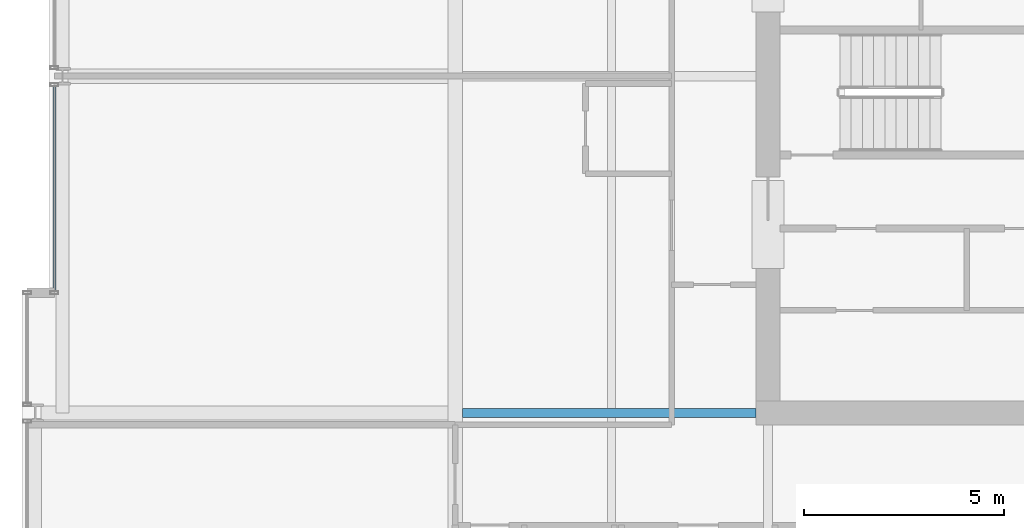
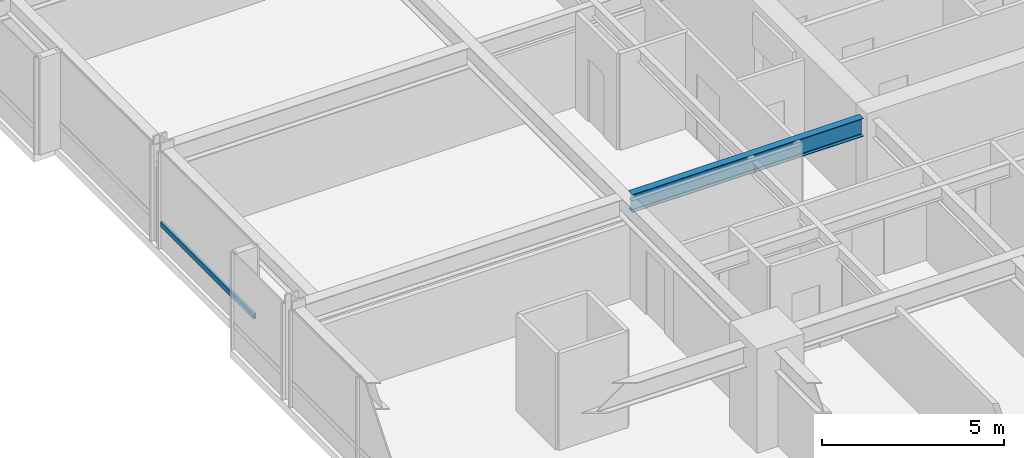
# One storey, part 8 of 34: 1 beam, 1 member, 1 element without a shape of its own.
"""IFC4 building model written with IfcOpenShell, lengths in metres."""

from ifc_helpers import new_model, si_unit, direction, frame, origin, origin_2d, place, context, subcontext, project, spatial, hollow_rectangle, i_section, extrude, material, layer, layer_set, material_profile, profile_set, type_object, element, aggregate, save


model = new_model("IFC4")

# Units and contexts
model_context = context("Model", 3, precision=1e-05, world=origin(), true_north=direction((0.0, 1.0)))
body_context = subcontext(model_context, "Body", "Model", "MODEL_VIEW")
ifc_project = project(units=[si_unit("LENGTHUNIT", "METRE"), si_unit("AREAUNIT", "SQUARE_METRE"), si_unit("VOLUMEUNIT", "CUBIC_METRE"), si_unit("PLANEANGLEUNIT", "RADIAN"), si_unit("MASSUNIT", "GRAM", prefix="KILO")], contexts=[model_context])

# Site, building, storey
site_placement = place(None, origin())
site = spatial("IfcSite", under=ifc_project, at=site_placement, CompositionType="ELEMENT")
building_placement = place(site_placement, origin())
building = spatial("IfcBuilding", under=site, at=building_placement, Name="Drelvath Grand Hotel", CompositionType="ELEMENT")
storey_placement = place(building_placement, frame((0.0, 0.0, 133.800048828125)))
storey = spatial("IfcBuildingStorey", under=building, at=storey_placement, Name="L34", CompositionType="ELEMENT", Elevation=133.800048828125)

# Curtain wall, member
ifc_material_1 = material(Name="Champagne Bronze Anodised Aluminium Frame", Category="aluminium")
ifc_layer = layer(ifc_material_1, 0.199951171875)
ifc_layer_set = layer_set([ifc_layer], Name="Champagne Bronze Anodised Aluminium Frame")
curtain_wall_type = type_object("IfcCurtainWallType", Name="Stick Curtain Wall CW-03 Champagne Bronze Mid-Rise", PredefinedType="NOTDEFINED", material=ifc_layer_set)
curtain_wall_placement = place(storey_placement, origin())
curtain_wall = element("IfcCurtainWall", 1, at=curtain_wall_placement, inside=storey, type_object=curtain_wall_type, Name="L34 CW-03 Curtain Wall CW03-L34-WM1", PredefinedType="NOTDEFINED")
ifc_material_profile_1 = material_profile(ifc_material_1, hollow_rectangle(XDim=0.074951171875, YDim=0.179931640625, WallThickness=0.0048828125, at=origin_2d()), Name="HSS180X75X5")
ifc_profile_set_1 = profile_set([ifc_material_profile_1], Name="Champagne Bronze Anodised Aluminium Frame")
member_type = type_object("IfcMemberType", Name="Curtain Wall Horizontal Transom CW-03 HSS180X75X5", PredefinedType="USERDEFINED", material=ifc_profile_set_1)
member_placement = place(storey_placement, frame((-26.199951171875, 21.639892578125, 0.81005859375), z_axis=(0.0, 1.0, 0.0), x_axis=(-1.0, 0.0, 0.0)))
member = element("IfcMember", 2, at=member_placement, type_object=member_type, Name="CW03-L34-WM1 Sill Transom", ObjectType="TRANSOM", PredefinedType="USERDEFINED", context=body_context, shape_type="SweptSolid", body=[
    extrude(hollow_rectangle(XDim=0.074951171875, YDim=0.179931640625, WallThickness=0.0048828125, at=origin_2d()), origin(), (0.0, 0.0, 1.0), 5.110595703125),
])
aggregate(curtain_wall, [member])

# Beam
ifc_material_2 = material(Name="Steel ASTM A992 Gr 50", Category="steel")
ifc_material_profile_2 = material_profile(ifc_material_2, i_section(OverallWidth=0.228271484375, OverallDepth=0.607666015625, WebThickness=0.01123046875, FlangeThickness=0.017333984375, FilletRadius=0.02001953125, at=origin_2d()), Name="W24X76")
ifc_profile_set_2 = profile_set([ifc_material_profile_2], Name="Steel ASTM A992 Gr 50")
beam_type = type_object("IfcBeamType", Name="Primary Floor Girder W24X76", PredefinedType="BEAM", material=ifc_profile_set_2)
beam_placement = place(storey_placement, frame((-16.022705078125, 18.60009765625, 2.93603515625), z_axis=(1.0, 0.0, 0.0), x_axis=(0.0, 1.0, 0.0)))
element("IfcBeam", 3, at=beam_placement, inside=storey, type_object=beam_type, Name="L34 West Core Tie D", PredefinedType="BEAM", context=body_context, shape_type="SweptSolid", body=[
    extrude(i_section(OverallWidth=0.228271484375, OverallDepth=0.607666015625, WebThickness=0.01123046875, FlangeThickness=0.017333984375, FilletRadius=0.02001953125, at=origin_2d()), origin(), (0.0, 0.0, 1.0), 7.32275390625),
])

save(model, "model.ifc")
